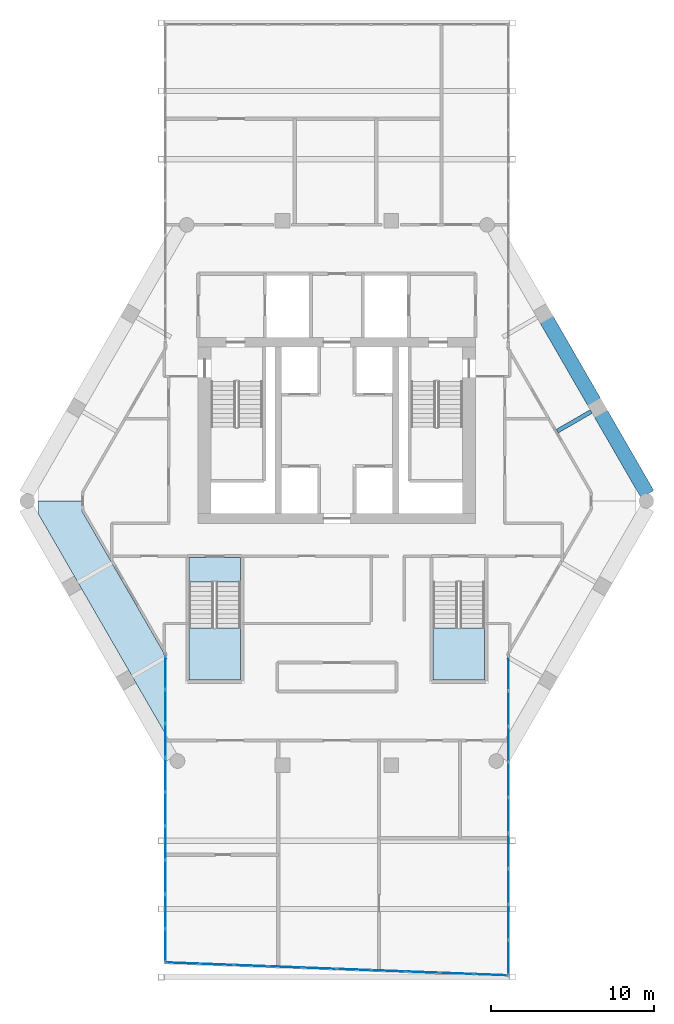
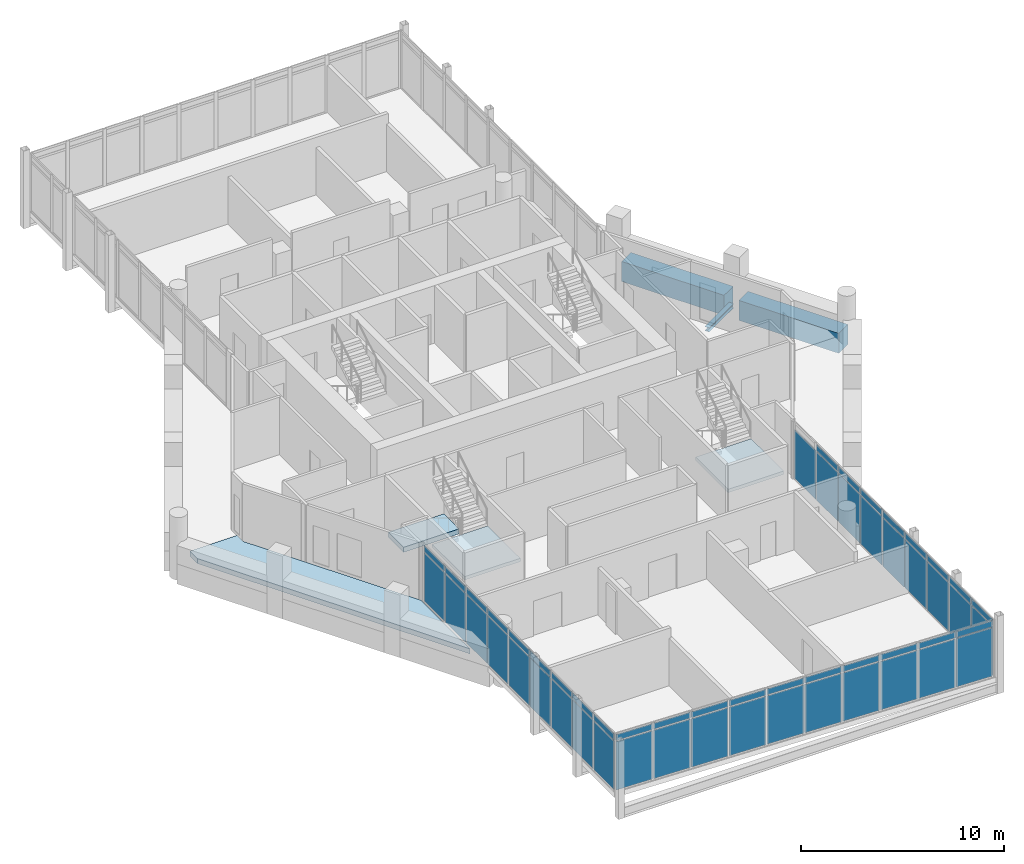
# One storey, part 18 of 25: 55 plates, 4 slabs, 3 beams, 5 elements without a shape of their own.
"""IFC4 building model written with IfcOpenShell, lengths in metres."""

from ifc_helpers import new_model, si_unit, direction, frame, origin, origin_2d, place, context, subcontext, project, spatial, polyline, rectangle, i_section, outline, extrude, material, layer, layer_set, material_profile, profile_set, type_object, element, aggregate, save


model = new_model("IFC4")

# Units and contexts
model_context = context("Model", 3, precision=1e-05, world=origin(), true_north=direction((0.0, 1.0)))
body_context = subcontext(model_context, "Body", "Model", "MODEL_VIEW")
ifc_project = project(units=[si_unit("LENGTHUNIT", "METRE"), si_unit("AREAUNIT", "SQUARE_METRE"), si_unit("VOLUMEUNIT", "CUBIC_METRE"), si_unit("PLANEANGLEUNIT", "RADIAN"), si_unit("MASSUNIT", "GRAM", prefix="KILO")], contexts=[model_context])

# Site, building, storey
site_placement = place(None, origin())
site = spatial("IfcSite", under=ifc_project, at=site_placement, CompositionType="ELEMENT")
building_placement = place(site_placement, origin())
building = spatial("IfcBuilding", under=site, at=building_placement, Name="Ostrander Bayou Hotel Tower", CompositionType="ELEMENT")
storey_placement = place(building_placement, frame((0.0, 0.0, 233.25)))
storey = spatial("IfcBuildingStorey", under=building, at=storey_placement, Name="L58", CompositionType="ELEMENT", Elevation=233.25)

# Beams
ifc_material_1 = material(Name="Steel ASTM A992", Category="steel")
ifc_material_profile_1 = material_profile(ifc_material_1, i_section(OverallWidth=0.25390625, OverallDepth=0.25341796875, WebThickness=0.008544921875, FlangeThickness=0.01416015625, at=origin_2d()))
ifc_profile_set_1 = profile_set([ifc_material_profile_1], Name="Steel ASTM A992")
beam_type_1 = type_object("IfcBeamType", Name="LB2 loggia bracket W10x49", PredefinedType="BEAM", material=ifc_profile_set_1)
beam_1_placement = place(storey_placement, frame((15.583984375, 5.153076171875, -0.4267578125), z_axis=(-0.865980596518, -0.500077600433, 0.0), x_axis=(0.500077600433, -0.865980596518, 0.0)))
element("IfcBeam", 1, at=beam_1_placement, inside=storey, type_object=beam_type_1, Name="LB2 L58 NE1", PredefinedType="BEAM", context=body_context, shape_type="SweptSolid", body=[
    extrude(i_section(OverallWidth=0.25390625, OverallDepth=0.25341796875, WebThickness=0.008544921875, FlangeThickness=0.01416015625, at=origin_2d()), origin(), (0.0, 0.0, 1.0), 2.39990234375),
])
ifc_material_2 = material(Name="Concrete f'c 60 MPa", Category="concrete")
ifc_material_profile_2 = material_profile(ifc_material_2, rectangle(XDim=0.89990234375, YDim=1.199951171875, at=origin_2d()))
ifc_profile_set_2 = profile_set([ifc_material_profile_2], Name="Concrete f'c 60 MPa")
beam_type_2 = type_object("IfcBeamType", Name="SP4 spandrel beam 900 x 1200 mm f'c 60 MPa", PredefinedType="SPANDREL", material=ifc_profile_set_2)
beam_2_placement = place(storey_placement, frame((19.024169921875, 0.0947265625, -0.60009765625), z_axis=(-0.499994028088, 0.866028851642, 0.0), x_axis=(-0.866028851642, -0.499994028088, 0.0)))
element("IfcBeam", 2, at=beam_2_placement, inside=storey, type_object=beam_type_2, Name="SP4 L58 NE-1", PredefinedType="SPANDREL", context=body_context, shape_type="SweptSolid", body=[
    extrude(rectangle(XDim=0.89990234375, YDim=1.199951171875, at=origin_2d()), origin(), (0.0, 0.0, 1.0), 5.6806640625),
])
beam_3_placement = place(storey_placement, frame((15.763916015625, 5.74169921875, -0.60009765625), z_axis=(-0.499997265274, 0.866026982673, 0.0), x_axis=(-0.866026982673, -0.499997265274, 0.0)))
element("IfcBeam", 3, at=beam_3_placement, inside=storey, type_object=beam_type_2, Name="SP4 L58 NE-2", PredefinedType="SPANDREL", context=body_context, shape_type="SweptSolid", body=[
    extrude(rectangle(XDim=0.89990234375, YDim=1.199951171875, at=origin_2d()), origin(), (0.0, 0.0, 1.0), 5.81884765625),
])

# Curtain wall, plates
ifc_material_3 = material(Name="Aluminium and clear glass", Category="aluminium")
curtain_wall_type = type_object("IfcCurtainWallType", Name="CW-BAR glazed wall", PredefinedType="NOTDEFINED", material=ifc_material_3)
curtain_wall_1_placement = place(storey_placement, origin())
curtain_wall_1 = element("IfcCurtainWall", 4, at=curtain_wall_1_placement, inside=storey, type_object=curtain_wall_type, Name="CW-BAR L58:SB5S:E", PredefinedType="NOTDEFINED")
ifc_material_4 = material(Name="Clear laminated glass", Category="glass")
ifc_layer_1 = layer(ifc_material_4, 0.028076171875)
ifc_layer_set_1 = layer_set([ifc_layer_1], Name="CW-BR glazing panel 28 mm")
plate_type = type_object("IfcPlateType", Name="CW-BR glazing panel 28 mm", PredefinedType="CURTAIN_PANEL", material=ifc_layer_set_1)
plate_1_placement = place(storey_placement, frame((-10.51220703125, -10.852294921875, 0.06005859375), z_axis=(0.0, 0.0, 1.0), x_axis=(0.0, -1.0, 0.0)))
plate_1 = element("IfcPlate", 5, at=plate_1_placement, type_object=plate_type, Name="CW-BAR panel 1.1", PredefinedType="CURTAIN_PANEL", context=body_context, shape_type="SweptSolid", body=[
    extrude(rectangle(XDim=2.0, YDim=0.028076171875, at=origin_2d()), origin(), (0.0, 0.0, 1.0), 2.909912109375),
])
plate_2_placement = place(storey_placement, frame((-10.51220703125, -10.852294921875, 3.02978515625), z_axis=(0.0, 0.0, 1.0), x_axis=(0.0, -1.0, 0.0)))
plate_2 = element("IfcPlate", 6, at=plate_2_placement, type_object=plate_type, Name="CW-BAR panel 1.2", PredefinedType="CURTAIN_PANEL", context=body_context, shape_type="SweptSolid", body=[
    extrude(rectangle(XDim=2.0, YDim=0.028076171875, at=origin_2d()), origin(), (0.0, 0.0, 1.0), 0.360107421875),
])
plate_3_placement = place(storey_placement, frame((-10.51220703125, -12.927490234375, 0.06005859375), z_axis=(0.0, 0.0, 1.0), x_axis=(0.0, -1.0, 0.0)))
plate_3 = element("IfcPlate", 7, at=plate_3_placement, type_object=plate_type, Name="CW-BAR panel 2.1", PredefinedType="CURTAIN_PANEL", context=body_context, shape_type="SweptSolid", body=[
    extrude(rectangle(XDim=2.030029296875, YDim=0.028076171875, at=origin_2d()), origin(), (0.0, 0.0, 1.0), 2.909912109375),
])
plate_4_placement = place(storey_placement, frame((-10.51220703125, -12.927490234375, 3.02978515625), z_axis=(0.0, 0.0, 1.0), x_axis=(0.0, -1.0, 0.0)))
plate_4 = element("IfcPlate", 8, at=plate_4_placement, type_object=plate_type, Name="CW-BAR panel 2.2", PredefinedType="CURTAIN_PANEL", context=body_context, shape_type="SweptSolid", body=[
    extrude(rectangle(XDim=2.030029296875, YDim=0.028076171875, at=origin_2d()), origin(), (0.0, 0.0, 1.0), 0.360107421875),
])
plate_5_placement = place(storey_placement, frame((-10.51220703125, -15.017333984375, 0.06005859375), z_axis=(0.0, 0.0, 1.0), x_axis=(0.0, -1.0, 0.0)))
plate_5 = element("IfcPlate", 9, at=plate_5_placement, type_object=plate_type, Name="CW-BAR panel 3.1", PredefinedType="CURTAIN_PANEL", context=body_context, shape_type="SweptSolid", body=[
    extrude(rectangle(XDim=2.030029296875, YDim=0.028076171875, at=origin_2d()), origin(), (0.0, 0.0, 1.0), 2.909912109375),
])
plate_6_placement = place(storey_placement, frame((-10.51220703125, -15.017333984375, 3.02978515625), z_axis=(0.0, 0.0, 1.0), x_axis=(0.0, -1.0, 0.0)))
plate_6 = element("IfcPlate", 10, at=plate_6_placement, type_object=plate_type, Name="CW-BAR panel 3.2", PredefinedType="CURTAIN_PANEL", context=body_context, shape_type="SweptSolid", body=[
    extrude(rectangle(XDim=2.030029296875, YDim=0.028076171875, at=origin_2d()), origin(), (0.0, 0.0, 1.0), 0.360107421875),
])
plate_7_placement = place(storey_placement, frame((-10.51220703125, -17.107421875, 0.06005859375), z_axis=(0.0, 0.0, 1.0), x_axis=(0.0, -1.0, 0.0)))
plate_7 = element("IfcPlate", 11, at=plate_7_placement, type_object=plate_type, Name="CW-BAR panel 4.1", PredefinedType="CURTAIN_PANEL", context=body_context, shape_type="SweptSolid", body=[
    extrude(rectangle(XDim=2.030029296875, YDim=0.028076171875, at=origin_2d()), origin(), (0.0, 0.0, 1.0), 2.909912109375),
])
plate_8_placement = place(storey_placement, frame((-10.51220703125, -17.107421875, 3.02978515625), z_axis=(0.0, 0.0, 1.0), x_axis=(0.0, -1.0, 0.0)))
plate_8 = element("IfcPlate", 12, at=plate_8_placement, type_object=plate_type, Name="CW-BAR panel 4.2", PredefinedType="CURTAIN_PANEL", context=body_context, shape_type="SweptSolid", body=[
    extrude(rectangle(XDim=2.030029296875, YDim=0.028076171875, at=origin_2d()), origin(), (0.0, 0.0, 1.0), 0.360107421875),
])
plate_9_placement = place(storey_placement, frame((-10.51220703125, -19.197509765625, 0.06005859375), z_axis=(0.0, 0.0, 1.0), x_axis=(0.0, -1.0, 0.0)))
plate_9 = element("IfcPlate", 13, at=plate_9_placement, type_object=plate_type, Name="CW-BAR panel 5.1", PredefinedType="CURTAIN_PANEL", context=body_context, shape_type="SweptSolid", body=[
    extrude(rectangle(XDim=2.030029296875, YDim=0.028076171875, at=origin_2d()), origin(), (0.0, 0.0, 1.0), 2.909912109375),
])
plate_10_placement = place(storey_placement, frame((-10.51220703125, -19.197509765625, 3.02978515625), z_axis=(0.0, 0.0, 1.0), x_axis=(0.0, -1.0, 0.0)))
plate_10 = element("IfcPlate", 14, at=plate_10_placement, type_object=plate_type, Name="CW-BAR panel 5.2", PredefinedType="CURTAIN_PANEL", context=body_context, shape_type="SweptSolid", body=[
    extrude(rectangle(XDim=2.030029296875, YDim=0.028076171875, at=origin_2d()), origin(), (0.0, 0.0, 1.0), 0.360107421875),
])
plate_11_placement = place(storey_placement, frame((-10.51220703125, -21.28759765625, 0.06005859375), z_axis=(0.0, 0.0, 1.0), x_axis=(0.0, -1.0, 0.0)))
plate_11 = element("IfcPlate", 15, at=plate_11_placement, type_object=plate_type, Name="CW-BAR panel 6.1", PredefinedType="CURTAIN_PANEL", context=body_context, shape_type="SweptSolid", body=[
    extrude(rectangle(XDim=2.030029296875, YDim=0.028076171875, at=origin_2d()), origin(), (0.0, 0.0, 1.0), 2.909912109375),
])
plate_12_placement = place(storey_placement, frame((-10.51220703125, -21.28759765625, 3.02978515625), z_axis=(0.0, 0.0, 1.0), x_axis=(0.0, -1.0, 0.0)))
plate_12 = element("IfcPlate", 16, at=plate_12_placement, type_object=plate_type, Name="CW-BAR panel 6.2", PredefinedType="CURTAIN_PANEL", context=body_context, shape_type="SweptSolid", body=[
    extrude(rectangle(XDim=2.030029296875, YDim=0.028076171875, at=origin_2d()), origin(), (0.0, 0.0, 1.0), 0.360107421875),
])
plate_13_placement = place(storey_placement, frame((-10.51220703125, -23.377685546875, 0.06005859375), z_axis=(0.0, 0.0, 1.0), x_axis=(0.0, -1.0, 0.0)))
plate_13 = element("IfcPlate", 17, at=plate_13_placement, type_object=plate_type, Name="CW-BAR panel 7.1", PredefinedType="CURTAIN_PANEL", context=body_context, shape_type="SweptSolid", body=[
    extrude(rectangle(XDim=2.030029296875, YDim=0.028076171875, at=origin_2d()), origin(), (0.0, 0.0, 1.0), 2.909912109375),
])
plate_14_placement = place(storey_placement, frame((-10.51220703125, -23.377685546875, 3.02978515625), z_axis=(0.0, 0.0, 1.0), x_axis=(0.0, -1.0, 0.0)))
plate_14 = element("IfcPlate", 18, at=plate_14_placement, type_object=plate_type, Name="CW-BAR panel 7.2", PredefinedType="CURTAIN_PANEL", context=body_context, shape_type="SweptSolid", body=[
    extrude(rectangle(XDim=2.030029296875, YDim=0.028076171875, at=origin_2d()), origin(), (0.0, 0.0, 1.0), 0.360107421875),
])
plate_15_placement = place(storey_placement, frame((-10.51220703125, -25.4677734375, 0.06005859375), z_axis=(0.0, 0.0, 1.0), x_axis=(0.0, -1.0, 0.0)))
plate_15 = element("IfcPlate", 19, at=plate_15_placement, type_object=plate_type, Name="CW-BAR panel 8.1", PredefinedType="CURTAIN_PANEL", context=body_context, shape_type="SweptSolid", body=[
    extrude(rectangle(XDim=2.030029296875, YDim=0.028076171875, at=origin_2d()), origin(), (0.0, 0.0, 1.0), 2.909912109375),
])
plate_16_placement = place(storey_placement, frame((-10.51220703125, -25.4677734375, 3.02978515625), z_axis=(0.0, 0.0, 1.0), x_axis=(0.0, -1.0, 0.0)))
plate_16 = element("IfcPlate", 20, at=plate_16_placement, type_object=plate_type, Name="CW-BAR panel 8.2", PredefinedType="CURTAIN_PANEL", context=body_context, shape_type="SweptSolid", body=[
    extrude(rectangle(XDim=2.030029296875, YDim=0.028076171875, at=origin_2d()), origin(), (0.0, 0.0, 1.0), 0.360107421875),
])
plate_17_placement = place(storey_placement, frame((-10.51220703125, -27.542724609375, 0.06005859375), z_axis=(0.0, 0.0, 1.0), x_axis=(0.0, -1.0, 0.0)))
plate_17 = element("IfcPlate", 21, at=plate_17_placement, type_object=plate_type, Name="CW-BAR panel 9.1", PredefinedType="CURTAIN_PANEL", context=body_context, shape_type="SweptSolid", body=[
    extrude(rectangle(XDim=2.0, YDim=0.028076171875, at=origin_2d()), origin(), (0.0, 0.0, 1.0), 2.909912109375),
])
plate_18_placement = place(storey_placement, frame((-10.51220703125, -27.542724609375, 3.02978515625), z_axis=(0.0, 0.0, 1.0), x_axis=(0.0, -1.0, 0.0)))
plate_18 = element("IfcPlate", 22, at=plate_18_placement, type_object=plate_type, Name="CW-BAR panel 9.2", PredefinedType="CURTAIN_PANEL", context=body_context, shape_type="SweptSolid", body=[
    extrude(rectangle(XDim=2.0, YDim=0.028076171875, at=origin_2d()), origin(), (0.0, 0.0, 1.0), 0.360107421875),
])
aggregate(curtain_wall_1, [plate_1, plate_2, plate_3, plate_4, plate_5, plate_6, plate_7, plate_8, plate_9, plate_10, plate_11, plate_12, plate_13, plate_14, plate_15, plate_16, plate_17, plate_18])

curtain_wall_2_placement = place(storey_placement, origin())
curtain_wall_2 = element("IfcCurtainWall", 23, at=curtain_wall_2_placement, inside=storey, type_object=curtain_wall_type, Name="CW-BAR L58:SB5S:T", PredefinedType="NOTDEFINED")
plate_19_placement = place(storey_placement, frame((-9.446044921875, -28.64306640625, 0.06005859375), z_axis=(0.0, 0.0, 1.0), x_axis=(0.99928692283, -0.037757725854, 0.0)))
plate_19 = element("IfcPlate", 24, at=plate_19_placement, type_object=plate_type, Name="CW-BAR panel 1.1", PredefinedType="CURTAIN_PANEL", context=body_context, shape_type="SweptSolid", body=[
    extrude(rectangle(XDim=2.013916015625, YDim=0.028076171875, at=origin_2d()), origin(), (0.0, 0.0, 1.0), 2.909912109375),
])
plate_20_placement = place(storey_placement, frame((-9.446044921875, -28.64306640625, 3.02978515625), z_axis=(0.0, 0.0, 1.0), x_axis=(0.99928692283, -0.037757725854, 0.0)))
plate_20 = element("IfcPlate", 25, at=plate_20_placement, type_object=plate_type, Name="CW-BAR panel 1.2", PredefinedType="CURTAIN_PANEL", context=body_context, shape_type="SweptSolid", body=[
    extrude(rectangle(XDim=2.013916015625, YDim=0.028076171875, at=origin_2d()), origin(), (0.0, 0.0, 1.0), 0.360107421875),
])
plate_21_placement = place(storey_placement, frame((-7.358642578125, -28.721923828125, 0.06005859375), z_axis=(0.0, 0.0, 1.0), x_axis=(0.99928692283, -0.037757725854, 0.0)))
plate_21 = element("IfcPlate", 26, at=plate_21_placement, type_object=plate_type, Name="CW-BAR panel 2.1", PredefinedType="CURTAIN_PANEL", context=body_context, shape_type="SweptSolid", body=[
    extrude(rectangle(XDim=2.0439453125, YDim=0.028076171875, at=origin_2d()), origin(), (0.0, 0.0, 1.0), 2.909912109375),
])
plate_22_placement = place(storey_placement, frame((-7.358642578125, -28.721923828125, 3.02978515625), z_axis=(0.0, 0.0, 1.0), x_axis=(0.99928692283, -0.037757725854, 0.0)))
plate_22 = element("IfcPlate", 27, at=plate_22_placement, type_object=plate_type, Name="CW-BAR panel 2.2", PredefinedType="CURTAIN_PANEL", context=body_context, shape_type="SweptSolid", body=[
    extrude(rectangle(XDim=2.0439453125, YDim=0.028076171875, at=origin_2d()), origin(), (0.0, 0.0, 1.0), 0.360107421875),
])
plate_23_placement = place(storey_placement, frame((-5.256103515625, -28.801513671875, 0.06005859375), z_axis=(0.0, 0.0, 1.0), x_axis=(0.99928692283, -0.037757725854, 0.0)))
plate_23 = element("IfcPlate", 28, at=plate_23_placement, type_object=plate_type, Name="CW-BAR panel 3.1", PredefinedType="CURTAIN_PANEL", context=body_context, shape_type="SweptSolid", body=[
    extrude(rectangle(XDim=2.0439453125, YDim=0.028076171875, at=origin_2d()), origin(), (0.0, 0.0, 1.0), 2.909912109375),
])
plate_24_placement = place(storey_placement, frame((-5.256103515625, -28.801513671875, 3.02978515625), z_axis=(0.0, 0.0, 1.0), x_axis=(0.99928692283, -0.037757725854, 0.0)))
plate_24 = element("IfcPlate", 29, at=plate_24_placement, type_object=plate_type, Name="CW-BAR panel 3.2", PredefinedType="CURTAIN_PANEL", context=body_context, shape_type="SweptSolid", body=[
    extrude(rectangle(XDim=2.0439453125, YDim=0.028076171875, at=origin_2d()), origin(), (0.0, 0.0, 1.0), 0.360107421875),
])
plate_25_placement = place(storey_placement, frame((-3.153564453125, -28.880859375, 0.06005859375), z_axis=(0.0, 0.0, 1.0), x_axis=(0.99928692283, -0.037757725854, 0.0)))
plate_25 = element("IfcPlate", 30, at=plate_25_placement, type_object=plate_type, Name="CW-BAR panel 4.1", PredefinedType="CURTAIN_PANEL", context=body_context, shape_type="SweptSolid", body=[
    extrude(rectangle(XDim=2.0439453125, YDim=0.028076171875, at=origin_2d()), origin(), (0.0, 0.0, 1.0), 2.909912109375),
])
plate_26_placement = place(storey_placement, frame((-3.153564453125, -28.880859375, 3.02978515625), z_axis=(0.0, 0.0, 1.0), x_axis=(0.99928692283, -0.037757725854, 0.0)))
plate_26 = element("IfcPlate", 31, at=plate_26_placement, type_object=plate_type, Name="CW-BAR panel 4.2", PredefinedType="CURTAIN_PANEL", context=body_context, shape_type="SweptSolid", body=[
    extrude(rectangle(XDim=2.0439453125, YDim=0.028076171875, at=origin_2d()), origin(), (0.0, 0.0, 1.0), 0.360107421875),
])
plate_27_placement = place(storey_placement, frame((-1.05126953125, -28.960205078125, 0.06005859375), z_axis=(0.0, 0.0, 1.0), x_axis=(0.99928692283, -0.037757725854, 0.0)))
plate_27 = element("IfcPlate", 32, at=plate_27_placement, type_object=plate_type, Name="CW-BAR panel 5.1", PredefinedType="CURTAIN_PANEL", context=body_context, shape_type="SweptSolid", body=[
    extrude(rectangle(XDim=2.0439453125, YDim=0.028076171875, at=origin_2d()), origin(), (0.0, 0.0, 1.0), 2.909912109375),
])
plate_28_placement = place(storey_placement, frame((-1.05126953125, -28.960205078125, 3.02978515625), z_axis=(0.0, 0.0, 1.0), x_axis=(0.99928692283, -0.037757725854, 0.0)))
plate_28 = element("IfcPlate", 33, at=plate_28_placement, type_object=plate_type, Name="CW-BAR panel 5.2", PredefinedType="CURTAIN_PANEL", context=body_context, shape_type="SweptSolid", body=[
    extrude(rectangle(XDim=2.0439453125, YDim=0.028076171875, at=origin_2d()), origin(), (0.0, 0.0, 1.0), 0.360107421875),
])
plate_29_placement = place(storey_placement, frame((1.05126953125, -29.039794921875, 0.06005859375), z_axis=(0.0, 0.0, 1.0), x_axis=(0.99928692283, -0.037757725854, 0.0)))
plate_29 = element("IfcPlate", 34, at=plate_29_placement, type_object=plate_type, Name="CW-BAR panel 6.1", PredefinedType="CURTAIN_PANEL", context=body_context, shape_type="SweptSolid", body=[
    extrude(rectangle(XDim=2.0439453125, YDim=0.028076171875, at=origin_2d()), origin(), (0.0, 0.0, 1.0), 2.909912109375),
])
plate_30_placement = place(storey_placement, frame((1.05126953125, -29.039794921875, 3.02978515625), z_axis=(0.0, 0.0, 1.0), x_axis=(0.99928692283, -0.037757725854, 0.0)))
plate_30 = element("IfcPlate", 35, at=plate_30_placement, type_object=plate_type, Name="CW-BAR panel 6.2", PredefinedType="CURTAIN_PANEL", context=body_context, shape_type="SweptSolid", body=[
    extrude(rectangle(XDim=2.0439453125, YDim=0.028076171875, at=origin_2d()), origin(), (0.0, 0.0, 1.0), 0.360107421875),
])
plate_31_placement = place(storey_placement, frame((3.153564453125, -29.119140625, 0.06005859375), z_axis=(0.0, 0.0, 1.0), x_axis=(0.99928692283, -0.037757725854, 0.0)))
plate_31 = element("IfcPlate", 36, at=plate_31_placement, type_object=plate_type, Name="CW-BAR panel 7.1", PredefinedType="CURTAIN_PANEL", context=body_context, shape_type="SweptSolid", body=[
    extrude(rectangle(XDim=2.0439453125, YDim=0.028076171875, at=origin_2d()), origin(), (0.0, 0.0, 1.0), 2.909912109375),
])
plate_32_placement = place(storey_placement, frame((3.153564453125, -29.119140625, 3.02978515625), z_axis=(0.0, 0.0, 1.0), x_axis=(0.99928692283, -0.037757725854, 0.0)))
plate_32 = element("IfcPlate", 37, at=plate_32_placement, type_object=plate_type, Name="CW-BAR panel 7.2", PredefinedType="CURTAIN_PANEL", context=body_context, shape_type="SweptSolid", body=[
    extrude(rectangle(XDim=2.0439453125, YDim=0.028076171875, at=origin_2d()), origin(), (0.0, 0.0, 1.0), 0.360107421875),
])
plate_33_placement = place(storey_placement, frame((5.256103515625, -29.198486328125, 0.06005859375), z_axis=(0.0, 0.0, 1.0), x_axis=(0.99928692283, -0.037757725854, 0.0)))
plate_33 = element("IfcPlate", 38, at=plate_33_placement, type_object=plate_type, Name="CW-BAR panel 8.1", PredefinedType="CURTAIN_PANEL", context=body_context, shape_type="SweptSolid", body=[
    extrude(rectangle(XDim=2.0439453125, YDim=0.028076171875, at=origin_2d()), origin(), (0.0, 0.0, 1.0), 2.909912109375),
])
plate_34_placement = place(storey_placement, frame((5.256103515625, -29.198486328125, 3.02978515625), z_axis=(0.0, 0.0, 1.0), x_axis=(0.99928692283, -0.037757725854, 0.0)))
plate_34 = element("IfcPlate", 39, at=plate_34_placement, type_object=plate_type, Name="CW-BAR panel 8.2", PredefinedType="CURTAIN_PANEL", context=body_context, shape_type="SweptSolid", body=[
    extrude(rectangle(XDim=2.0439453125, YDim=0.028076171875, at=origin_2d()), origin(), (0.0, 0.0, 1.0), 0.360107421875),
])
plate_35_placement = place(storey_placement, frame((7.358642578125, -29.278076171875, 0.06005859375), z_axis=(0.0, 0.0, 1.0), x_axis=(0.99928692283, -0.037757725854, 0.0)))
plate_35 = element("IfcPlate", 40, at=plate_35_placement, type_object=plate_type, Name="CW-BAR panel 9.1", PredefinedType="CURTAIN_PANEL", context=body_context, shape_type="SweptSolid", body=[
    extrude(rectangle(XDim=2.0439453125, YDim=0.028076171875, at=origin_2d()), origin(), (0.0, 0.0, 1.0), 2.909912109375),
])
plate_36_placement = place(storey_placement, frame((7.358642578125, -29.278076171875, 3.02978515625), z_axis=(0.0, 0.0, 1.0), x_axis=(0.99928692283, -0.037757725854, 0.0)))
plate_36 = element("IfcPlate", 41, at=plate_36_placement, type_object=plate_type, Name="CW-BAR panel 9.2", PredefinedType="CURTAIN_PANEL", context=body_context, shape_type="SweptSolid", body=[
    extrude(rectangle(XDim=2.0439453125, YDim=0.028076171875, at=origin_2d()), origin(), (0.0, 0.0, 1.0), 0.360107421875),
])
plate_37_placement = place(storey_placement, frame((9.446044921875, -29.35693359375, 0.06005859375), z_axis=(0.0, 0.0, 1.0), x_axis=(0.99928692283, -0.037757725854, 0.0)))
plate_37 = element("IfcPlate", 42, at=plate_37_placement, type_object=plate_type, Name="CW-BAR panel 10.1", PredefinedType="CURTAIN_PANEL", context=body_context, shape_type="SweptSolid", body=[
    extrude(rectangle(XDim=2.013916015625, YDim=0.028076171875, at=origin_2d()), origin(), (0.0, 0.0, 1.0), 2.909912109375),
])
plate_38_placement = place(storey_placement, frame((9.446044921875, -29.35693359375, 3.02978515625), z_axis=(0.0, 0.0, 1.0), x_axis=(0.99928692283, -0.037757725854, 0.0)))
plate_38 = element("IfcPlate", 43, at=plate_38_placement, type_object=plate_type, Name="CW-BAR panel 10.2", PredefinedType="CURTAIN_PANEL", context=body_context, shape_type="SweptSolid", body=[
    extrude(rectangle(XDim=2.013916015625, YDim=0.028076171875, at=origin_2d()), origin(), (0.0, 0.0, 1.0), 0.360107421875),
])
aggregate(curtain_wall_2, [plate_19, plate_20, plate_21, plate_22, plate_23, plate_24, plate_25, plate_26, plate_27, plate_28, plate_29, plate_30, plate_31, plate_32, plate_33, plate_34, plate_35, plate_36, plate_37, plate_38])

curtain_wall_3_placement = place(storey_placement, origin())
curtain_wall_3 = element("IfcCurtainWall", 44, at=curtain_wall_3_placement, inside=storey, type_object=curtain_wall_type, Name="CW-BAR L58:SB5S:W", PredefinedType="NOTDEFINED")
plate_39_placement = place(storey_placement, frame((10.51220703125, -10.896484375, 0.06005859375), z_axis=(0.0, 0.0, 1.0), x_axis=(0.0, -1.0, 0.0)))
plate_39 = element("IfcPlate", 45, at=plate_39_placement, type_object=plate_type, Name="CW-BAR panel 1.1", PredefinedType="CURTAIN_PANEL", context=body_context, shape_type="SweptSolid", body=[
    extrude(rectangle(XDim=2.08837890625, YDim=0.028076171875, at=origin_2d()), origin(), (0.0, 0.0, 1.0), 2.909912109375),
])
plate_40_placement = place(storey_placement, frame((10.51220703125, -13.059814453125, 0.06005859375), z_axis=(0.0, 0.0, 1.0), x_axis=(0.0, -1.0, 0.0)))
plate_40 = element("IfcPlate", 46, at=plate_40_placement, type_object=plate_type, Name="CW-BAR panel 2.1", PredefinedType="CURTAIN_PANEL", context=body_context, shape_type="SweptSolid", body=[
    extrude(rectangle(XDim=2.118408203125, YDim=0.028076171875, at=origin_2d()), origin(), (0.0, 0.0, 1.0), 2.909912109375),
])
plate_41_placement = place(storey_placement, frame((10.51220703125, -13.059814453125, 3.02978515625), z_axis=(0.0, 0.0, 1.0), x_axis=(0.0, -1.0, 0.0)))
plate_41 = element("IfcPlate", 47, at=plate_41_placement, type_object=plate_type, Name="CW-BAR panel 2.2", PredefinedType="CURTAIN_PANEL", context=body_context, shape_type="SweptSolid", body=[
    extrude(rectangle(XDim=2.118408203125, YDim=0.028076171875, at=origin_2d()), origin(), (0.0, 0.0, 1.0), 0.360107421875),
])
plate_42_placement = place(storey_placement, frame((10.51220703125, -15.238037109375, 0.06005859375), z_axis=(0.0, 0.0, 1.0), x_axis=(0.0, -1.0, 0.0)))
plate_42 = element("IfcPlate", 48, at=plate_42_placement, type_object=plate_type, Name="CW-BAR panel 3.1", PredefinedType="CURTAIN_PANEL", context=body_context, shape_type="SweptSolid", body=[
    extrude(rectangle(XDim=2.118408203125, YDim=0.028076171875, at=origin_2d()), origin(), (0.0, 0.0, 1.0), 2.909912109375),
])
plate_43_placement = place(storey_placement, frame((10.51220703125, -15.238037109375, 3.02978515625), z_axis=(0.0, 0.0, 1.0), x_axis=(0.0, -1.0, 0.0)))
plate_43 = element("IfcPlate", 49, at=plate_43_placement, type_object=plate_type, Name="CW-BAR panel 3.2", PredefinedType="CURTAIN_PANEL", context=body_context, shape_type="SweptSolid", body=[
    extrude(rectangle(XDim=2.118408203125, YDim=0.028076171875, at=origin_2d()), origin(), (0.0, 0.0, 1.0), 0.360107421875),
])
plate_44_placement = place(storey_placement, frame((10.51220703125, -17.41650390625, 0.06005859375), z_axis=(0.0, 0.0, 1.0), x_axis=(0.0, -1.0, 0.0)))
plate_44 = element("IfcPlate", 50, at=plate_44_placement, type_object=plate_type, Name="CW-BAR panel 4.1", PredefinedType="CURTAIN_PANEL", context=body_context, shape_type="SweptSolid", body=[
    extrude(rectangle(XDim=2.118408203125, YDim=0.028076171875, at=origin_2d()), origin(), (0.0, 0.0, 1.0), 2.909912109375),
])
plate_45_placement = place(storey_placement, frame((10.51220703125, -17.41650390625, 3.02978515625), z_axis=(0.0, 0.0, 1.0), x_axis=(0.0, -1.0, 0.0)))
plate_45 = element("IfcPlate", 51, at=plate_45_placement, type_object=plate_type, Name="CW-BAR panel 4.2", PredefinedType="CURTAIN_PANEL", context=body_context, shape_type="SweptSolid", body=[
    extrude(rectangle(XDim=2.118408203125, YDim=0.028076171875, at=origin_2d()), origin(), (0.0, 0.0, 1.0), 0.360107421875),
])
plate_46_placement = place(storey_placement, frame((10.51220703125, -19.5947265625, 0.06005859375), z_axis=(0.0, 0.0, 1.0), x_axis=(0.0, -1.0, 0.0)))
plate_46 = element("IfcPlate", 52, at=plate_46_placement, type_object=plate_type, Name="CW-BAR panel 5.1", PredefinedType="CURTAIN_PANEL", context=body_context, shape_type="SweptSolid", body=[
    extrude(rectangle(XDim=2.118408203125, YDim=0.028076171875, at=origin_2d()), origin(), (0.0, 0.0, 1.0), 2.909912109375),
])
plate_47_placement = place(storey_placement, frame((10.51220703125, -19.5947265625, 3.02978515625), z_axis=(0.0, 0.0, 1.0), x_axis=(0.0, -1.0, 0.0)))
plate_47 = element("IfcPlate", 53, at=plate_47_placement, type_object=plate_type, Name="CW-BAR panel 5.2", PredefinedType="CURTAIN_PANEL", context=body_context, shape_type="SweptSolid", body=[
    extrude(rectangle(XDim=2.118408203125, YDim=0.028076171875, at=origin_2d()), origin(), (0.0, 0.0, 1.0), 0.360107421875),
])
plate_48_placement = place(storey_placement, frame((10.51220703125, -21.773193359375, 0.06005859375), z_axis=(0.0, 0.0, 1.0), x_axis=(0.0, -1.0, 0.0)))
plate_48 = element("IfcPlate", 54, at=plate_48_placement, type_object=plate_type, Name="CW-BAR panel 6.1", PredefinedType="CURTAIN_PANEL", context=body_context, shape_type="SweptSolid", body=[
    extrude(rectangle(XDim=2.118408203125, YDim=0.028076171875, at=origin_2d()), origin(), (0.0, 0.0, 1.0), 2.909912109375),
])
plate_49_placement = place(storey_placement, frame((10.51220703125, -21.773193359375, 3.02978515625), z_axis=(0.0, 0.0, 1.0), x_axis=(0.0, -1.0, 0.0)))
plate_49 = element("IfcPlate", 55, at=plate_49_placement, type_object=plate_type, Name="CW-BAR panel 6.2", PredefinedType="CURTAIN_PANEL", context=body_context, shape_type="SweptSolid", body=[
    extrude(rectangle(XDim=2.118408203125, YDim=0.028076171875, at=origin_2d()), origin(), (0.0, 0.0, 1.0), 0.360107421875),
])
plate_50_placement = place(storey_placement, frame((10.51220703125, -23.951416015625, 0.06005859375), z_axis=(0.0, 0.0, 1.0), x_axis=(0.0, -1.0, 0.0)))
plate_50 = element("IfcPlate", 56, at=plate_50_placement, type_object=plate_type, Name="CW-BAR panel 7.1", PredefinedType="CURTAIN_PANEL", context=body_context, shape_type="SweptSolid", body=[
    extrude(rectangle(XDim=2.118408203125, YDim=0.028076171875, at=origin_2d()), origin(), (0.0, 0.0, 1.0), 2.909912109375),
])
plate_51_placement = place(storey_placement, frame((10.51220703125, -23.951416015625, 3.02978515625), z_axis=(0.0, 0.0, 1.0), x_axis=(0.0, -1.0, 0.0)))
plate_51 = element("IfcPlate", 57, at=plate_51_placement, type_object=plate_type, Name="CW-BAR panel 7.2", PredefinedType="CURTAIN_PANEL", context=body_context, shape_type="SweptSolid", body=[
    extrude(rectangle(XDim=2.118408203125, YDim=0.028076171875, at=origin_2d()), origin(), (0.0, 0.0, 1.0), 0.360107421875),
])
plate_52_placement = place(storey_placement, frame((10.51220703125, -26.129638671875, 0.06005859375), z_axis=(0.0, 0.0, 1.0), x_axis=(0.0, -1.0, 0.0)))
plate_52 = element("IfcPlate", 58, at=plate_52_placement, type_object=plate_type, Name="CW-BAR panel 8.1", PredefinedType="CURTAIN_PANEL", context=body_context, shape_type="SweptSolid", body=[
    extrude(rectangle(XDim=2.118408203125, YDim=0.028076171875, at=origin_2d()), origin(), (0.0, 0.0, 1.0), 2.909912109375),
])
plate_53_placement = place(storey_placement, frame((10.51220703125, -26.129638671875, 3.02978515625), z_axis=(0.0, 0.0, 1.0), x_axis=(0.0, -1.0, 0.0)))
plate_53 = element("IfcPlate", 59, at=plate_53_placement, type_object=plate_type, Name="CW-BAR panel 8.2", PredefinedType="CURTAIN_PANEL", context=body_context, shape_type="SweptSolid", body=[
    extrude(rectangle(XDim=2.118408203125, YDim=0.028076171875, at=origin_2d()), origin(), (0.0, 0.0, 1.0), 0.360107421875),
])
plate_54_placement = place(storey_placement, frame((10.51220703125, -28.29296875, 0.06005859375), z_axis=(0.0, 0.0, 1.0), x_axis=(0.0, -1.0, 0.0)))
plate_54 = element("IfcPlate", 60, at=plate_54_placement, type_object=plate_type, Name="CW-BAR panel 9.1", PredefinedType="CURTAIN_PANEL", context=body_context, shape_type="SweptSolid", body=[
    extrude(rectangle(XDim=2.08837890625, YDim=0.028076171875, at=origin_2d()), origin(), (0.0, 0.0, 1.0), 2.909912109375),
])
plate_55_placement = place(storey_placement, frame((10.51220703125, -28.29296875, 3.02978515625), z_axis=(0.0, 0.0, 1.0), x_axis=(0.0, -1.0, 0.0)))
plate_55 = element("IfcPlate", 61, at=plate_55_placement, type_object=plate_type, Name="CW-BAR panel 9.2", PredefinedType="CURTAIN_PANEL", context=body_context, shape_type="SweptSolid", body=[
    extrude(rectangle(XDim=2.08837890625, YDim=0.028076171875, at=origin_2d()), origin(), (0.0, 0.0, 1.0), 0.360107421875),
])
aggregate(curtain_wall_3, [plate_39, plate_40, plate_41, plate_42, plate_43, plate_44, plate_45, plate_46, plate_47, plate_48, plate_49, plate_50, plate_51, plate_52, plate_53, plate_54, plate_55])

# Slabs
ifc_material_5 = material(Name="Concrete f'c 40 MPa", Category="concrete")
ifc_layer_2 = layer(ifc_material_5, 0.300048828125)
ifc_layer_set_2 = layer_set([ifc_layer_2], Name="SL1 floor slab 300 mm f'c 40 MPa")
slab_type_1 = type_object("IfcSlabType", Name="SL1 floor slab 300 mm f'c 40 MPa", PredefinedType="FLOOR", material=ifc_layer_set_2)
slab_1_placement = place(storey_placement, frame((0.0, 0.0, -0.300048828125)))
element("IfcSlab", 62, at=slab_1_placement, inside=storey, type_object=slab_type_1, Name="cslab:L58:005", PredefinedType="FLOOR", context=body_context, shape_type="SweptSolid", body=[
    extrude(outline(polyline([(-5.89990234375, -5.300048828125), (-5.89990234375, -3.800048828125), (-9.050048828125, -3.800048828125), (-9.050048828125, -5.300048828125), (-5.89990234375, -5.300048828125)])), origin(), (0.0, 0.0, 1.0), 0.300048828125),
])
ifc_material_6 = material(Name="Concrete f'c 40 MPa", Category="concrete")
ifc_layer_3 = layer(ifc_material_6, 0.300048828125)
ifc_layer_set_3 = layer_set([ifc_layer_3], Name="SL4 loggia slab 300 mm f'c 40 MPa")
slab_type_2 = type_object("IfcSlabType", Name="SL4 loggia slab 300 mm f'c 40 MPa", PredefinedType="FLOOR", material=ifc_layer_set_3)
slab_2_placement = place(storey_placement, frame((0.0, 0.0, -0.300048828125)))
element("IfcSlab", 63, at=slab_2_placement, inside=storey, type_object=slab_type_2, Name="SL4 LOGGIA L58 SW 1", PredefinedType="FLOOR", context=body_context, shape_type="SweptSolid", body=[
    extrude(outline(polyline([(-10.587158203125, -11.220947265625), (-10.587158203125, -14.46240234375), (-16.077392578125, -4.952880859375), (-17.949462890625, -1.71044921875), (-18.315185546875, -1.077392578125), (-18.315185546875, -0.327392578125), (-15.63037109375, -0.327392578125), (-15.63037109375, -0.92724609375), (-10.587158203125, -9.662353515625), (-10.587158203125, -11.220947265625)])), origin(), (0.0, 0.0, 1.0), 0.300048828125),
])

# Stair, slab
ifc_material_7 = material(Name="Concrete f'c 45 MPa", Category="concrete")
stair_type = type_object("IfcStairType", Name="ST1 exit stair 1500 mm f'c 45 MPa", PredefinedType="HALF_TURN_STAIR", material=ifc_material_7)
stair_1_placement = place(storey_placement, origin())
stair_1 = element("IfcStair", 64, at=stair_1_placement, inside=storey, type_object=stair_type, Name="L58 exit stair C", PredefinedType="HALF_TURN_STAIR")
ifc_material_8 = material(Name="Concrete f'c 45 MPa", Category="concrete")
ifc_layer_4 = layer(ifc_material_8, 0.199951171875)
ifc_layer_set_4 = layer_set([ifc_layer_4], Name="SL8 stair landing 200 mm f'c 45 MPa")
slab_type_3 = type_object("IfcSlabType", Name="SL8 stair landing 200 mm f'c 45 MPa", PredefinedType="LANDING", material=ifc_layer_set_4)
slab_3_placement = place(storey_placement, frame((0.0, 0.0, 1.675048828125)))
slab_3 = element("IfcSlab", 65, at=slab_3_placement, type_object=slab_type_3, Name="STC landing 1", PredefinedType="LANDING", context=body_context, shape_type="SweptSolid", body=[
    extrude(outline(polyline([(5.89990234375, -8.10009765625), (5.89990234375, -11.300048828125), (9.050048828125, -11.300048828125), (9.050048828125, -8.10009765625), (5.89990234375, -8.10009765625)])), origin(), (0.0, 0.0, 1.0), 0.199951171875),
])
aggregate(stair_1, [slab_3])

stair_2_placement = place(storey_placement, origin())
stair_2 = element("IfcStair", 66, at=stair_2_placement, inside=storey, type_object=stair_type, Name="L58 exit stair D", PredefinedType="HALF_TURN_STAIR")
slab_4_placement = place(storey_placement, frame((0.0, 0.0, 1.675048828125)))
slab_4 = element("IfcSlab", 67, at=slab_4_placement, type_object=slab_type_3, Name="STD landing 1", PredefinedType="LANDING", context=body_context, shape_type="SweptSolid", body=[
    extrude(outline(polyline([(-9.050048828125, -8.10009765625), (-9.050048828125, -11.300048828125), (-5.89990234375, -11.300048828125), (-5.89990234375, -8.10009765625), (-9.050048828125, -8.10009765625)])), origin(), (0.0, 0.0, 1.0), 0.199951171875),
])
aggregate(stair_2, [slab_4])

save(model, "model.ifc")
